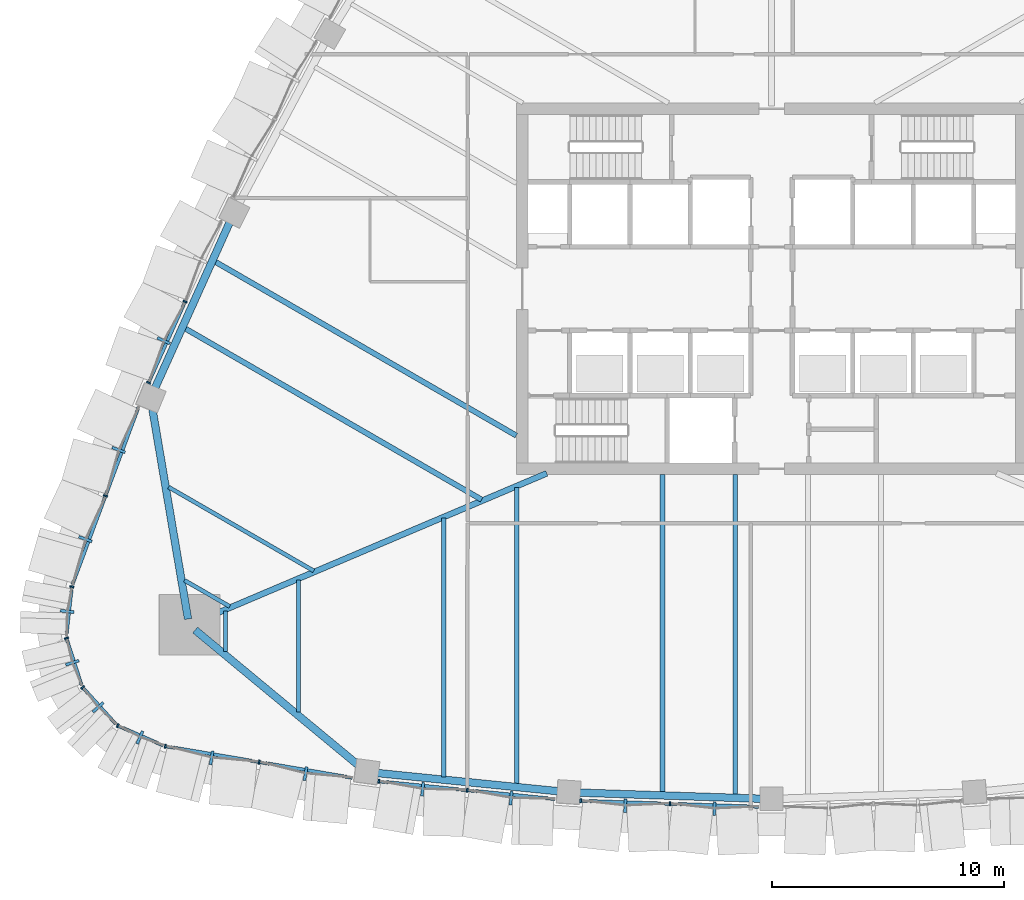
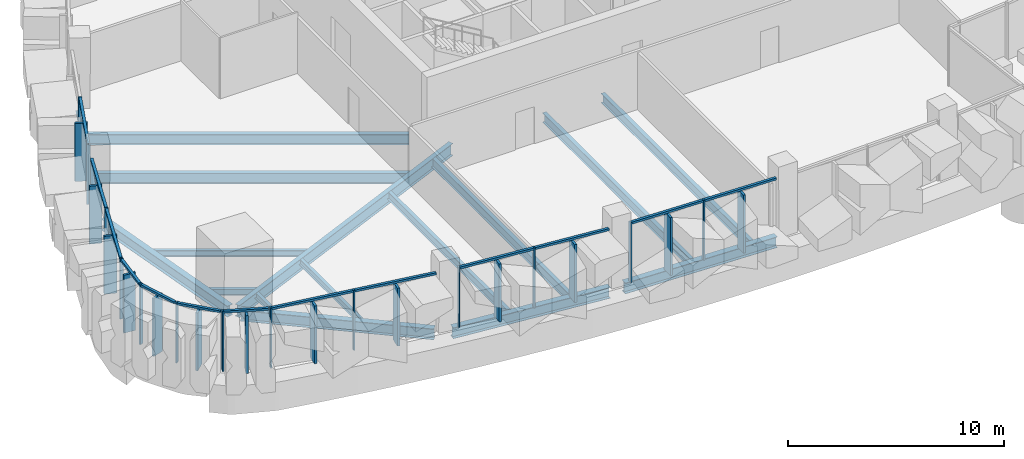
# One storey, part 2 of 20: 39 members, 16 beams, 9 elements without a shape of their own.
"""IFC4 building model written with IfcOpenShell, lengths in metres."""

from ifc_helpers import new_model, si_unit, direction, frame, origin, origin_2d, place, context, subcontext, project, spatial, rectangle, i_section, extrude, material, layer, layer_set, material_profile, profile_set, type_object, element, aggregate, save


model = new_model("IFC4")

# Units and contexts
model_context = context("Model", 3, precision=1e-05, world=origin(), true_north=direction((0.0, 1.0)))
body_context = subcontext(model_context, "Body", "Model", "MODEL_VIEW")
ifc_project = project(units=[si_unit("LENGTHUNIT", "METRE"), si_unit("AREAUNIT", "SQUARE_METRE"), si_unit("VOLUMEUNIT", "CUBIC_METRE"), si_unit("PLANEANGLEUNIT", "RADIAN"), si_unit("MASSUNIT", "GRAM", prefix="KILO")], contexts=[model_context])

# Site, building, storey
site_placement = place(None, origin())
site = spatial("IfcSite", under=ifc_project, at=site_placement, CompositionType="ELEMENT")
building_placement = place(site_placement, origin())
building = spatial("IfcBuilding", under=site, at=building_placement, Name="Sierra Prisma Convention Tower", CompositionType="ELEMENT")
storey_placement = place(building_placement, frame((0.0, 0.0, 125.800048828125)))
storey = spatial("IfcBuildingStorey", under=building, at=storey_placement, Name="L26", CompositionType="ELEMENT", Elevation=125.800048828125)

# Curtain wall, member
ifc_material_1 = material(Name="Aluminium and glass curtain wall", Category="aluminium")
ifc_layer = layer(ifc_material_1, 0.179931640625)
ifc_layer_set = layer_set([ifc_layer], Name="CW-2 Faceted crystal curtain wall")
curtain_wall_type = type_object("IfcCurtainWallType", Name="CW-2 Faceted crystal curtain wall", PredefinedType="NOTDEFINED", material=ifc_layer_set)
curtain_wall_1_placement = place(storey_placement, origin())
curtain_wall_1 = element("IfcCurtainWall", 1, at=curtain_wall_1_placement, inside=storey, type_object=curtain_wall_type, Name="CW-2 NW5 L26", PredefinedType="NOTDEFINED")
ifc_material_2 = material(Name="Aluminium 6063-T6 bronze anodised", Category="aluminium")
ifc_material_profile_1 = material_profile(ifc_material_2, rectangle(XDim=0.1201171875, YDim=0.60009765625, at=origin_2d()), Name="ALU RIDGE BLADE 120x600")
ifc_profile_set_1 = profile_set([ifc_material_profile_1], Name="Aluminium 6063-T6 bronze anodised")
member_type_1 = type_object("IfcMemberType", Name="CW hip bronze", PredefinedType="MULLION", material=ifc_profile_set_1)
member_1_placement = place(storey_placement, frame((-26.189697265625, -2.239990234375, 0.0), z_axis=(0.0, 0.0, 1.0), x_axis=(-0.410783329989, -0.911732995895, 0.0)))
member_1 = element("IfcMember", 2, at=member_1_placement, type_object=member_type_1, Name="CW-2 ridge NW5.2", PredefinedType="MULLION", context=body_context, shape_type="SweptSolid", body=[
    extrude(rectangle(XDim=0.1201171875, YDim=0.60009765625, at=origin_2d()), origin(), (0.0, 0.0, 1.0), 3.280029296875),
])

# Curtain wall, members
curtain_wall_2_placement = place(storey_placement, origin())
curtain_wall_2 = element("IfcCurtainWall", 3, at=curtain_wall_2_placement, inside=storey, type_object=curtain_wall_type, Name="CW-2 NW6 L26", PredefinedType="NOTDEFINED")
member_2_placement = place(storey_placement, frame((-28.130859375, -6.944091796875, 0.0), z_axis=(0.0, 0.0, 1.0), x_axis=(-0.34895513435, -0.937139431574, 0.0)))
member_2 = element("IfcMember", 4, at=member_2_placement, type_object=member_type_1, Name="CW-2 ridge NW6.1", PredefinedType="MULLION", context=body_context, shape_type="SweptSolid", body=[
    extrude(rectangle(XDim=0.1201171875, YDim=0.60009765625, at=origin_2d()), origin(), (0.0, 0.0, 1.0), 3.280029296875),
])
member_3_placement = place(storey_placement, frame((-29.562744140625, -10.7890625, 0.0), z_axis=(0.0, 0.0, 1.0), x_axis=(-0.34895513435, -0.937139431574, 0.0)))
member_3 = element("IfcMember", 5, at=member_3_placement, type_object=member_type_1, Name="CW-2 ridge NW6.2", PredefinedType="MULLION", context=body_context, shape_type="SweptSolid", body=[
    extrude(rectangle(XDim=0.1201171875, YDim=0.60009765625, at=origin_2d()), origin(), (0.0, 0.0, 1.0), 3.280029296875),
])

# Curtain wall, member
curtain_wall_3_placement = place(storey_placement, origin())
curtain_wall_3 = element("IfcCurtainWall", 6, at=curtain_wall_3_placement, inside=storey, type_object=curtain_wall_type, Name="CW-2 SW1 L26", PredefinedType="NOTDEFINED")
member_4_placement = place(storey_placement, frame((-30.34814453125, -13.901611328125, 0.0), z_axis=(0.0, 0.0, 1.0), x_axis=(-0.111140729668, -0.993804678098, 0.0)))
member_4 = element("IfcMember", 7, at=member_4_placement, type_object=member_type_1, Name="CW-2 ridge SW1.1", PredefinedType="MULLION", context=body_context, shape_type="SweptSolid", body=[
    extrude(rectangle(XDim=0.1201171875, YDim=0.60009765625, at=origin_2d()), origin(), (0.0, 0.0, 1.0), 3.280029296875),
])

curtain_wall_4_placement = place(storey_placement, origin())
curtain_wall_4 = element("IfcCurtainWall", 8, at=curtain_wall_4_placement, inside=storey, type_object=curtain_wall_type, Name="CW-2 SW2 L26", PredefinedType="NOTDEFINED")
member_5_placement = place(storey_placement, frame((-30.1259765625, -16.111083984375, 0.0), z_axis=(0.0, 0.0, 1.0), x_axis=(0.306907724602, -0.951739275526, 0.0)))
member_5 = element("IfcMember", 9, at=member_5_placement, type_object=member_type_1, Name="CW-2 ridge SW2.1", PredefinedType="MULLION", context=body_context, shape_type="SweptSolid", body=[
    extrude(rectangle(XDim=0.1201171875, YDim=0.60009765625, at=origin_2d()), origin(), (0.0, 0.0, 1.0), 3.280029296875),
])

curtain_wall_5_placement = place(storey_placement, origin())
curtain_wall_5 = element("IfcCurtainWall", 10, at=curtain_wall_5_placement, inside=storey, type_object=curtain_wall_type, Name="CW-2 SW3 L26", PredefinedType="NOTDEFINED")
member_6_placement = place(storey_placement, frame((-29.015625, -18.0341796875, 0.0), z_axis=(0.0, 0.0, 1.0), x_axis=(0.670776528084, -0.741659523886, 0.0)))
member_6 = element("IfcMember", 11, at=member_6_placement, type_object=member_type_1, Name="CW-2 ridge SW3.1", PredefinedType="MULLION", context=body_context, shape_type="SweptSolid", body=[
    extrude(rectangle(XDim=0.1201171875, YDim=0.60009765625, at=origin_2d()), origin(), (0.0, 0.0, 1.0), 3.280029296875),
])

curtain_wall_6_placement = place(storey_placement, origin())
curtain_wall_6 = element("IfcCurtainWall", 12, at=curtain_wall_6_placement, inside=storey, type_object=curtain_wall_type, Name="CW-2 SW4 L26", PredefinedType="NOTDEFINED")
member_7_placement = place(storey_placement, frame((-27.21337890625, -19.33154296875, 0.0), z_axis=(0.0, 0.0, 1.0), x_axis=(0.916230462466, -0.400651643762, 0.0)))
member_7 = element("IfcMember", 13, at=member_7_placement, type_object=member_type_1, Name="CW-2 ridge SW4.1", PredefinedType="MULLION", context=body_context, shape_type="SweptSolid", body=[
    extrude(rectangle(XDim=0.1201171875, YDim=0.60009765625, at=origin_2d()), origin(), (0.0, 0.0, 1.0), 3.280029296875),
])

# Curtain wall, members
curtain_wall_7_placement = place(storey_placement, origin())
curtain_wall_7 = element("IfcCurtainWall", 14, at=curtain_wall_7_placement, inside=storey, type_object=curtain_wall_type, Name="CW-2 S1 L26", PredefinedType="NOTDEFINED")
member_8_placement = place(storey_placement, frame((-24.125, -20.20751953125, 0.0), z_axis=(0.0, 0.0, 1.0), x_axis=(0.986064121806, -0.166365704659, 0.0)))
member_8 = element("IfcMember", 15, at=member_8_placement, type_object=member_type_1, Name="CW-2 ridge S1.1", PredefinedType="MULLION", context=body_context, shape_type="SweptSolid", body=[
    extrude(rectangle(XDim=0.1201171875, YDim=0.60009765625, at=origin_2d()), origin(), (0.0, 0.0, 1.0), 3.280029296875),
])
member_9_placement = place(storey_placement, frame((-20.079345703125, -20.889892578125, 0.0), z_axis=(0.0, 0.0, 1.0), x_axis=(0.986064121806, -0.166365704659, 0.0)))
member_9 = element("IfcMember", 16, at=member_9_placement, type_object=member_type_1, Name="CW-2 ridge S1.2", PredefinedType="MULLION", context=body_context, shape_type="SweptSolid", body=[
    extrude(rectangle(XDim=0.1201171875, YDim=0.60009765625, at=origin_2d()), origin(), (0.0, 0.0, 1.0), 3.280029296875),
])

curtain_wall_8_placement = place(storey_placement, origin())
curtain_wall_8 = element("IfcCurtainWall", 17, at=curtain_wall_8_placement, inside=storey, type_object=curtain_wall_type, Name="CW-2 S2 L26", PredefinedType="NOTDEFINED")
member_10_placement = place(storey_placement, frame((-15.03466796875, -21.560791015625, 0.0), z_axis=(0.0, 0.0, 1.0), x_axis=(0.994975600908, -0.100117698725, 0.0)))
member_10 = element("IfcMember", 18, at=member_10_placement, type_object=member_type_1, Name="CW-2 ridge S2.1", PredefinedType="MULLION", context=body_context, shape_type="SweptSolid", body=[
    extrude(rectangle(XDim=0.1201171875, YDim=0.60009765625, at=origin_2d()), origin(), (0.0, 0.0, 1.0), 3.280029296875),
])
member_11_placement = place(storey_placement, frame((-11.2236328125, -21.9443359375, 0.0), z_axis=(0.0, 0.0, 1.0), x_axis=(0.994975600908, -0.100117698725, 0.0)))
member_11 = element("IfcMember", 19, at=member_11_placement, type_object=member_type_1, Name="CW-2 ridge S2.2", PredefinedType="MULLION", context=body_context, shape_type="SweptSolid", body=[
    extrude(rectangle(XDim=0.1201171875, YDim=0.60009765625, at=origin_2d()), origin(), (0.0, 0.0, 1.0), 3.280029296875),
])

curtain_wall_9_placement = place(storey_placement, origin())
curtain_wall_9 = element("IfcCurtainWall", 20, at=curtain_wall_9_placement, inside=storey, type_object=curtain_wall_type, Name="CW-2 S3 L26", PredefinedType="NOTDEFINED")
member_12_placement = place(storey_placement, frame((-6.30615234375, -22.2734375, 0.0), z_axis=(0.0, 0.0, 1.0), x_axis=(0.999441317343, -0.033422345631, 0.0)))
member_12 = element("IfcMember", 21, at=member_12_placement, type_object=member_type_1, Name="CW-2 ridge S3.1", PredefinedType="MULLION", context=body_context, shape_type="SweptSolid", body=[
    extrude(rectangle(XDim=0.1201171875, YDim=0.60009765625, at=origin_2d()), origin(), (0.0, 0.0, 1.0), 3.280029296875),
])
member_13_placement = place(storey_placement, frame((-2.4619140625, -22.402099609375, 0.0), z_axis=(0.0, 0.0, 1.0), x_axis=(0.999441317343, -0.033422345631, 0.0)))
member_13 = element("IfcMember", 22, at=member_13_placement, type_object=member_type_1, Name="CW-2 ridge S3.2", PredefinedType="MULLION", context=body_context, shape_type="SweptSolid", body=[
    extrude(rectangle(XDim=0.1201171875, YDim=0.60009765625, at=origin_2d()), origin(), (0.0, 0.0, 1.0), 3.280029296875),
])

# Member
ifc_material_3 = material(Name="Aluminium 6063-T6 bronze anodised", Category="aluminium")
ifc_material_profile_2 = material_profile(ifc_material_3, rectangle(XDim=0.179931640625, YDim=0.070068359375, at=origin_2d()), Name="ALU MULLION 70x180")
ifc_profile_set_2 = profile_set([ifc_material_profile_2], Name="Aluminium 6063-T6 bronze anodised")
member_type_2 = type_object("IfcMemberType", Name="CW mullion bronze", PredefinedType="MULLION", material=ifc_profile_set_2)
member_14_placement = place(storey_placement, frame((-25.267822265625, -0.5546875, 0.0), z_axis=(0.0, 0.0, 1.0), x_axis=(0.911732995895, -0.410783329989, 0.0)))
member_14 = element("IfcMember", 23, at=member_14_placement, type_object=member_type_2, Name="CW-1 mullion NW5.2", PredefinedType="MULLION", context=body_context, shape_type="SweptSolid", body=[
    extrude(rectangle(XDim=0.179931640625, YDim=0.070068359375, at=origin_2d()), origin(), (0.0, 0.0, 1.0), 3.39990234375),
])

member_15_placement = place(storey_placement, frame((-26.84130859375, -4.046875, 0.0), z_axis=(0.0, 0.0, 1.0), x_axis=(0.911732995895, -0.410783329989, 0.0)))
member_15 = element("IfcMember", 24, at=member_15_placement, type_object=member_type_2, Name="CW-1 mullion NW5.3", PredefinedType="MULLION", context=body_context, shape_type="SweptSolid", body=[
    extrude(rectangle(XDim=0.179931640625, YDim=0.070068359375, at=origin_2d()), origin(), (0.0, 0.0, 1.0), 3.39990234375),
])

member_16_placement = place(storey_placement, frame((-28.697998046875, -8.922119140625, 0.0), z_axis=(0.0, 0.0, 1.0), x_axis=(0.937139431574, -0.34895513435, 0.0)))
member_16 = element("IfcMember", 25, at=member_16_placement, type_object=member_type_2, Name="CW-1 mullion NW6.2", PredefinedType="MULLION", context=body_context, shape_type="SweptSolid", body=[
    extrude(rectangle(XDim=0.179931640625, YDim=0.070068359375, at=origin_2d()), origin(), (0.0, 0.0, 1.0), 3.39990234375),
])

member_17_placement = place(storey_placement, frame((-30.14599609375, -12.834716796875, 0.0), z_axis=(0.0, 0.0, 1.0), x_axis=(0.993804678098, -0.111140729668, 0.0)))
member_17 = element("IfcMember", 26, at=member_17_placement, type_object=member_type_2, Name="CW-1 mullion SW1.1", PredefinedType="MULLION", context=body_context, shape_type="SweptSolid", body=[
    extrude(rectangle(XDim=0.179931640625, YDim=0.070068359375, at=origin_2d()), origin(), (0.0, 0.0, 1.0), 3.39990234375),
])

member_18_placement = place(storey_placement, frame((-30.379638671875, -15.05517578125, 0.0), z_axis=(0.0, 0.0, 1.0), x_axis=(0.951739275526, 0.306907724602, 0.0)))
member_18 = element("IfcMember", 27, at=member_18_placement, type_object=member_type_2, Name="CW-1 mullion SW2.1", PredefinedType="MULLION", context=body_context, shape_type="SweptSolid", body=[
    extrude(rectangle(XDim=0.179931640625, YDim=0.070068359375, at=origin_2d()), origin(), (0.0, 0.0, 1.0), 3.39990234375),
])

member_19_placement = place(storey_placement, frame((-29.680908203125, -17.17578125, 0.0), z_axis=(0.0, 0.0, 1.0), x_axis=(0.741659523886, 0.670776528084, 0.0)))
member_19 = element("IfcMember", 28, at=member_19_placement, type_object=member_type_2, Name="CW-1 mullion SW3.1", PredefinedType="MULLION", context=body_context, shape_type="SweptSolid", body=[
    extrude(rectangle(XDim=0.179931640625, YDim=0.070068359375, at=origin_2d()), origin(), (0.0, 0.0, 1.0), 3.39990234375),
])

member_20_placement = place(storey_placement, frame((-28.17236328125, -18.822021484375, 0.0), z_axis=(0.0, 0.0, 1.0), x_axis=(0.400651643762, 0.916230462466, 0.0)))
member_20 = element("IfcMember", 29, at=member_20_placement, type_object=member_type_2, Name="CW-1 mullion SW4.1", PredefinedType="MULLION", context=body_context, shape_type="SweptSolid", body=[
    extrude(rectangle(XDim=0.179931640625, YDim=0.070068359375, at=origin_2d()), origin(), (0.0, 0.0, 1.0), 3.39990234375),
])

member_21_placement = place(storey_placement, frame((-26.12158203125, -19.709716796875, 0.0), z_axis=(0.0, 0.0, 1.0), x_axis=(0.166365704659, 0.986064121806, 0.0)))
member_21 = element("IfcMember", 30, at=member_21_placement, type_object=member_type_2, Name="CW-1 mullion S1.1", PredefinedType="MULLION", context=body_context, shape_type="SweptSolid", body=[
    extrude(rectangle(XDim=0.179931640625, YDim=0.070068359375, at=origin_2d()), origin(), (0.0, 0.0, 1.0), 3.39990234375),
])

member_22_placement = place(storey_placement, frame((-22.07568359375, -20.392333984375, 0.0), z_axis=(0.0, 0.0, 1.0), x_axis=(0.166365704659, 0.986064121806, 0.0)))
member_22 = element("IfcMember", 31, at=member_22_placement, type_object=member_type_2, Name="CW-1 mullion S1.2", PredefinedType="MULLION", context=body_context, shape_type="SweptSolid", body=[
    extrude(rectangle(XDim=0.179931640625, YDim=0.070068359375, at=origin_2d()), origin(), (0.0, 0.0, 1.0), 3.39990234375),
])

member_23_placement = place(storey_placement, frame((-16.925537109375, -21.221923828125, 0.0), z_axis=(0.0, 0.0, 1.0), x_axis=(0.100117698725, 0.994975600908, 0.0)))
member_23 = element("IfcMember", 32, at=member_23_placement, type_object=member_type_2, Name="CW-1 mullion S2.1", PredefinedType="MULLION", context=body_context, shape_type="SweptSolid", body=[
    extrude(rectangle(XDim=0.179931640625, YDim=0.070068359375, at=origin_2d()), origin(), (0.0, 0.0, 1.0), 3.39990234375),
])

member_24_placement = place(storey_placement, frame((-13.1142578125, -21.60546875, 0.0), z_axis=(0.0, 0.0, 1.0), x_axis=(0.100117698725, 0.994975600908, 0.0)))
member_24 = element("IfcMember", 33, at=member_24_placement, type_object=member_type_2, Name="CW-1 mullion S2.2", PredefinedType="MULLION", context=body_context, shape_type="SweptSolid", body=[
    extrude(rectangle(XDim=0.179931640625, YDim=0.070068359375, at=origin_2d()), origin(), (0.0, 0.0, 1.0), 3.39990234375),
])

member_25_placement = place(storey_placement, frame((-8.223388671875, -22.060791015625, 0.0), z_axis=(0.0, 0.0, 1.0), x_axis=(0.033422345631, 0.999441317343, 0.0)))
member_25 = element("IfcMember", 34, at=member_25_placement, type_object=member_type_2, Name="CW-1 mullion S3.1", PredefinedType="MULLION", context=body_context, shape_type="SweptSolid", body=[
    extrude(rectangle(XDim=0.179931640625, YDim=0.070068359375, at=origin_2d()), origin(), (0.0, 0.0, 1.0), 3.39990234375),
])

member_26_placement = place(storey_placement, frame((-4.379150390625, -22.189208984375, 0.0), z_axis=(0.0, 0.0, 1.0), x_axis=(0.033422345631, 0.999441317343, 0.0)))
member_26 = element("IfcMember", 35, at=member_26_placement, type_object=member_type_2, Name="CW-1 mullion S3.2", PredefinedType="MULLION", context=body_context, shape_type="SweptSolid", body=[
    extrude(rectangle(XDim=0.179931640625, YDim=0.070068359375, at=origin_2d()), origin(), (0.0, 0.0, 1.0), 3.39990234375),
])

ifc_material_4 = material(Name="Aluminium 6063-T6 bronze anodised", Category="aluminium")
ifc_material_profile_3 = material_profile(ifc_material_4, rectangle(XDim=0.139892578125, YDim=0.1201171875, at=origin_2d()), Name="ALU TRANSOM 120x140")
ifc_profile_set_3 = profile_set([ifc_material_profile_3], Name="Aluminium 6063-T6 bronze anodised")
member_type_3 = type_object("IfcMemberType", Name="CW transom bronze", PredefinedType="USERDEFINED", material=ifc_profile_set_3)
member_27_placement = place(storey_placement, frame((-25.2822265625, -0.586669921875, 3.33984375), z_axis=(-0.410777668798, -0.911735546536, 0.0), x_axis=(0.911735546536, -0.410777668798, 0.0)))
member_27 = element("IfcMember", 36, at=member_27_placement, type_object=member_type_3, Name="CW-1 transom NW5.2", ObjectType="TRANSOM", PredefinedType="USERDEFINED", context=body_context, shape_type="SweptSolid", body=[
    extrude(rectangle(XDim=0.139892578125, YDim=0.1201171875, at=origin_2d()), origin(), (0.0, 0.0, 1.0), 3.76025390625),
])

aggregate(curtain_wall_1, [member_14, member_15, member_27, member_1])

member_28_placement = place(storey_placement, frame((-27.278564453125, -5.10986328125, 3.33984375), z_axis=(-0.348946408953, -0.937142680534, 0.0), x_axis=(0.937142680534, -0.348946408953, 0.0)))
member_28 = element("IfcMember", 37, at=member_28_placement, type_object=member_type_3, Name="CW-1 transom NW6.1", ObjectType="TRANSOM", PredefinedType="USERDEFINED", context=body_context, shape_type="SweptSolid", body=[
    extrude(rectangle(XDim=0.139892578125, YDim=0.1201171875, at=origin_2d()), origin(), (0.0, 0.0, 1.0), 4.03271484375),
])

member_29_placement = place(storey_placement, frame((-28.710205078125, -8.954833984375, 3.33984375), z_axis=(-0.348999574763, -0.937122882452, 0.0), x_axis=(0.937122882452, -0.348999574763, 0.0)))
member_29 = element("IfcMember", 38, at=member_29_placement, type_object=member_type_3, Name="CW-1 transom NW6.2", ObjectType="TRANSOM", PredefinedType="USERDEFINED", context=body_context, shape_type="SweptSolid", body=[
    extrude(rectangle(XDim=0.139892578125, YDim=0.1201171875, at=origin_2d()), origin(), (0.0, 0.0, 1.0), 4.032958984375),
])

aggregate(curtain_wall_2, [member_16, member_28, member_2, member_29, member_3])

member_30_placement = place(storey_placement, frame((-30.149658203125, -12.869384765625, 3.33984375), z_axis=(-0.111249773277, -0.993792477304, 0.0), x_axis=(0.993792477304, -0.111249773277, 0.0)))
member_30 = element("IfcMember", 39, at=member_30_placement, type_object=member_type_3, Name="CW-1 transom SW1.1", ObjectType="TRANSOM", PredefinedType="USERDEFINED", context=body_context, shape_type="SweptSolid", body=[
    extrude(rectangle(XDim=0.139892578125, YDim=0.1201171875, at=origin_2d()), origin(), (0.0, 0.0, 1.0), 2.095703125),
])

aggregate(curtain_wall_3, [member_17, member_30, member_4])

member_31_placement = place(storey_placement, frame((-30.368896484375, -15.08837890625, 3.33984375), z_axis=(0.306812187689, -0.951770078058, 0.0), x_axis=(0.951770078058, 0.306812187689, 0.0)))
member_31 = element("IfcMember", 40, at=member_31_placement, type_object=member_type_3, Name="CW-1 transom SW2.1", ObjectType="TRANSOM", PredefinedType="USERDEFINED", context=body_context, shape_type="SweptSolid", body=[
    extrude(rectangle(XDim=0.139892578125, YDim=0.1201171875, at=origin_2d()), origin(), (0.0, 0.0, 1.0), 2.095947265625),
])

aggregate(curtain_wall_4, [member_18, member_31, member_5])

member_32_placement = place(storey_placement, frame((-29.6572265625, -17.20166015625, 3.33984375), z_axis=(0.670745544739, -0.741687544868, 0.0), x_axis=(0.741687544868, 0.670745544739, 0.0)))
member_32 = element("IfcMember", 41, at=member_32_placement, type_object=member_type_3, Name="CW-1 transom SW3.1", ObjectType="TRANSOM", PredefinedType="USERDEFINED", context=body_context, shape_type="SweptSolid", body=[
    extrude(rectangle(XDim=0.139892578125, YDim=0.1201171875, at=origin_2d()), origin(), (0.0, 0.0, 1.0), 2.095703125),
])

aggregate(curtain_wall_5, [member_19, member_32, member_6])

member_33_placement = place(storey_placement, frame((-28.140380859375, -18.836181640625, 3.33984375), z_axis=(0.916240199278, -0.400629376391, 0.0), x_axis=(0.400629376391, 0.916240199278, 0.0)))
member_33 = element("IfcMember", 42, at=member_33_placement, type_object=member_type_3, Name="CW-1 transom SW4.1", ObjectType="TRANSOM", PredefinedType="USERDEFINED", context=body_context, shape_type="SweptSolid", body=[
    extrude(rectangle(XDim=0.139892578125, YDim=0.1201171875, at=origin_2d()), origin(), (0.0, 0.0, 1.0), 2.095703125),
])

aggregate(curtain_wall_6, [member_20, member_33, member_7])

member_34_placement = place(storey_placement, frame((-26.0869140625, -19.715576171875, 3.33984375), z_axis=(0.986064730035, -0.166362099591, 0.0), x_axis=(0.166362099591, 0.986064730035, 0.0)))
member_34 = element("IfcMember", 43, at=member_34_placement, type_object=member_type_3, Name="CW-1 transom S1.1", ObjectType="TRANSOM", PredefinedType="USERDEFINED", context=body_context, shape_type="SweptSolid", body=[
    extrude(rectangle(XDim=0.139892578125, YDim=0.1201171875, at=origin_2d()), origin(), (0.0, 0.0, 1.0), 4.03271484375),
])

member_35_placement = place(storey_placement, frame((-22.041259765625, -20.39794921875, 3.33984375), z_axis=(0.986054797276, -0.166420962531, 0.0), x_axis=(0.166420962531, 0.986054797276, 0.0)))
member_35 = element("IfcMember", 44, at=member_35_placement, type_object=member_type_3, Name="CW-1 transom S1.2", ObjectType="TRANSOM", PredefinedType="USERDEFINED", context=body_context, shape_type="SweptSolid", body=[
    extrude(rectangle(XDim=0.139892578125, YDim=0.1201171875, at=origin_2d()), origin(), (0.0, 0.0, 1.0), 4.03271484375),
])

aggregate(curtain_wall_7, [member_21, member_22, member_34, member_8, member_35, member_9])

member_36_placement = place(storey_placement, frame((-16.890625, -21.225341796875, 3.33984375), z_axis=(0.994975934726, -0.100114381165, 0.0), x_axis=(0.100114381165, 0.994975934726, 0.0)))
member_36 = element("IfcMember", 45, at=member_36_placement, type_object=member_type_3, Name="CW-1 transom S2.1", ObjectType="TRANSOM", PredefinedType="USERDEFINED", context=body_context, shape_type="SweptSolid", body=[
    extrude(rectangle(XDim=0.139892578125, YDim=0.1201171875, at=origin_2d()), origin(), (0.0, 0.0, 1.0), 3.76025390625),
])

member_37_placement = place(storey_placement, frame((-13.07958984375, -21.60888671875, 3.33984375), z_axis=(0.994976585399, -0.100107914308, 0.0), x_axis=(0.100107914308, 0.994976585399, 0.0)))
member_37 = element("IfcMember", 46, at=member_37_placement, type_object=member_type_3, Name="CW-1 transom S2.2", ObjectType="TRANSOM", PredefinedType="USERDEFINED", context=body_context, shape_type="SweptSolid", body=[
    extrude(rectangle(XDim=0.139892578125, YDim=0.1201171875, at=origin_2d()), origin(), (0.0, 0.0, 1.0), 3.760498046875),
])

aggregate(curtain_wall_8, [member_23, member_24, member_36, member_10, member_37, member_11])

member_38_placement = place(storey_placement, frame((-8.1884765625, -22.061767578125, 3.33984375), z_axis=(0.999441313675, -0.033422455315, 0.0), x_axis=(0.033422455315, 0.999441313675, 0.0)))
member_38 = element("IfcMember", 47, at=member_38_placement, type_object=member_type_3, Name="CW-1 transom S3.1", ObjectType="TRANSOM", PredefinedType="USERDEFINED", context=body_context, shape_type="SweptSolid", body=[
    extrude(rectangle(XDim=0.139892578125, YDim=0.1201171875, at=origin_2d()), origin(), (0.0, 0.0, 1.0), 3.776611328125),
])

member_39_placement = place(storey_placement, frame((-4.343994140625, -22.1904296875, 3.33984375), z_axis=(0.999441313675, -0.033422455315, 0.0), x_axis=(0.033422455315, 0.999441313675, 0.0)))
member_39 = element("IfcMember", 48, at=member_39_placement, type_object=member_type_3, Name="CW-1 transom S3.2", ObjectType="TRANSOM", PredefinedType="USERDEFINED", context=body_context, shape_type="SweptSolid", body=[
    extrude(rectangle(XDim=0.139892578125, YDim=0.1201171875, at=origin_2d()), origin(), (0.0, 0.0, 1.0), 3.776611328125),
])

aggregate(curtain_wall_9, [member_25, member_26, member_38, member_12, member_39, member_13])

# Beams
ifc_material_5 = material(Name="Steel ASTM A992 Gr 50", Category="steel")
ifc_material_profile_4 = material_profile(ifc_material_5, i_section(OverallWidth=0.172119140625, OverallDepth=0.35791015625, WebThickness=0.0078125, FlangeThickness=0.01318359375, at=origin_2d()), Name="W360x57")
ifc_profile_set_4 = profile_set([ifc_material_profile_4], Name="Steel ASTM A992 Gr 50")
beam_type_1 = type_object("IfcBeamType", Name="Floor joist W360x57", PredefinedType="JOIST", material=ifc_profile_set_4)
beam_1_placement = place(storey_placement, frame((-23.52734375, -15.627197265625, -0.3291015625), z_axis=(0.0, 1.0, 0.0), x_axis=(-1.0, 0.0, 0.0)))
element("IfcBeam", 49, at=beam_1_placement, inside=storey, type_object=beam_type_1, Name="Floor joist L26 S01", PredefinedType="JOIST", context=body_context, shape_type="SweptSolid", body=[
    extrude(i_section(OverallWidth=0.172119140625, OverallDepth=0.35791015625, WebThickness=0.0078125, FlangeThickness=0.01318359375, at=origin_2d()), origin(), (0.0, 0.0, 1.0), 1.748291015625),
])
beam_2_placement = place(storey_placement, frame((-20.390380859375, -18.225341796875, -0.3291015625), z_axis=(0.0, 1.0, 0.0), x_axis=(-1.0, 0.0, 0.0)))
element("IfcBeam", 50, at=beam_2_placement, inside=storey, type_object=beam_type_1, Name="Floor joist L26 S02", PredefinedType="JOIST", context=body_context, shape_type="SweptSolid", body=[
    extrude(i_section(OverallWidth=0.172119140625, OverallDepth=0.35791015625, WebThickness=0.0078125, FlangeThickness=0.01318359375, at=origin_2d()), origin(), (0.0, 0.0, 1.0), 5.67724609375),
])
beam_3_placement = place(storey_placement, frame((-25.978759765625, -8.5458984375, -0.3291015625), z_axis=(0.866032984638, -0.499986869347, 0.0), x_axis=(0.499986869347, 0.866032984638, 0.0)))
element("IfcBeam", 51, at=beam_3_placement, inside=storey, type_object=beam_type_1, Name="Floor joist L26 NW15", PredefinedType="JOIST", context=body_context, shape_type="SweptSolid", body=[
    extrude(i_section(OverallWidth=0.172119140625, OverallDepth=0.35791015625, WebThickness=0.0078125, FlangeThickness=0.01318359375, at=origin_2d()), origin(), (0.0, 0.0, 1.0), 7.219970703125),
])
beam_4_placement = place(storey_placement, frame((-25.297119140625, -12.561767578125, -0.3291015625), z_axis=(0.86603787505, -0.499978398512, 0.0), x_axis=(0.499978398512, 0.86603787505, 0.0)))
element("IfcBeam", 52, at=beam_4_placement, inside=storey, type_object=beam_type_1, Name="Floor joist L26 NW16", PredefinedType="JOIST", context=body_context, shape_type="SweptSolid", body=[
    extrude(i_section(OverallWidth=0.172119140625, OverallDepth=0.35791015625, WebThickness=0.0078125, FlangeThickness=0.01318359375, at=origin_2d()), origin(), (0.0, 0.0, 1.0), 2.2568359375),
])
ifc_material_6 = material(Name="Steel ASTM A992 Gr 50", Category="steel")
ifc_material_profile_5 = material_profile(ifc_material_6, i_section(OverallWidth=0.18994140625, OverallDepth=0.45703125, WebThickness=0.009033203125, FlangeThickness=0.014404296875, at=origin_2d()), Name="W460x74")
ifc_profile_set_5 = profile_set([ifc_material_profile_5], Name="Steel ASTM A992 Gr 50")
beam_type_2 = type_object("IfcBeamType", Name="Floor joist W460x74", PredefinedType="JOIST", material=ifc_profile_set_5)
beam_5_placement = place(storey_placement, frame((-14.116455078125, -21.03955078125, -0.378662109375), z_axis=(0.0, 1.0, 0.0), x_axis=(-1.0, 0.0, 0.0)))
element("IfcBeam", 53, at=beam_5_placement, inside=storey, type_object=beam_type_2, Name="Floor joist L26 S04", PredefinedType="JOIST", context=body_context, shape_type="SweptSolid", body=[
    extrude(i_section(OverallWidth=0.18994140625, OverallDepth=0.45703125, WebThickness=0.009033203125, FlangeThickness=0.014404296875, at=origin_2d()), origin(), (0.0, 0.0, 1.0), 11.153076171875),
])
ifc_material_7 = material(Name="Steel ASTM A992 Gr 50", Category="steel")
ifc_material_profile_6 = material_profile(ifc_material_7, i_section(OverallWidth=0.208984375, OverallDepth=0.532958984375, WebThickness=0.01025390625, FlangeThickness=0.015625, at=origin_2d()), Name="W530x92")
ifc_profile_set_6 = profile_set([ifc_material_profile_6], Name="Steel ASTM A992 Gr 50")
beam_type_3 = type_object("IfcBeamType", Name="Floor joist W530x92", PredefinedType="JOIST", material=ifc_profile_set_6)
beam_6_placement = place(storey_placement, frame((-10.9794921875, -21.355224609375, -0.41650390625), z_axis=(0.0, 1.0, 0.0), x_axis=(-1.0, 0.0, 0.0)))
element("IfcBeam", 54, at=beam_6_placement, inside=storey, type_object=beam_type_3, Name="Floor joist L26 S05", PredefinedType="JOIST", context=body_context, shape_type="SweptSolid", body=[
    extrude(i_section(OverallWidth=0.208984375, OverallDepth=0.532958984375, WebThickness=0.01025390625, FlangeThickness=0.015625, at=origin_2d()), origin(), (0.0, 0.0, 1.0), 12.7998046875),
])
beam_7_placement = place(storey_placement, frame((-4.70556640625, -21.7158203125, -0.41650390625), z_axis=(0.0, 1.0, 0.0), x_axis=(-1.0, 0.0, 0.0)))
element("IfcBeam", 55, at=beam_7_placement, inside=storey, type_object=beam_type_3, Name="Floor joist L26 S07", PredefinedType="JOIST", context=body_context, shape_type="SweptSolid", body=[
    extrude(i_section(OverallWidth=0.208984375, OverallDepth=0.532958984375, WebThickness=0.01025390625, FlangeThickness=0.015625, at=origin_2d()), origin(), (0.0, 0.0, 1.0), 13.7158203125),
])
beam_8_placement = place(storey_placement, frame((-1.568603515625, -21.820556640625, -0.41650390625), z_axis=(0.0, 1.0, 0.0), x_axis=(-1.0, 0.0, 0.0)))
element("IfcBeam", 56, at=beam_8_placement, inside=storey, type_object=beam_type_3, Name="Floor joist L26 S08", PredefinedType="JOIST", context=body_context, shape_type="SweptSolid", body=[
    extrude(i_section(OverallWidth=0.208984375, OverallDepth=0.532958984375, WebThickness=0.01025390625, FlangeThickness=0.015625, at=origin_2d()), origin(), (0.0, 0.0, 1.0), 13.820556640625),
])
ifc_material_8 = material(Name="Steel ASTM A992 Gr 50", Category="steel")
ifc_material_profile_7 = material_profile(ifc_material_8, i_section(OverallWidth=0.22802734375, OverallDepth=0.60302734375, WebThickness=0.010498046875, FlangeThickness=0.014892578125, at=origin_2d()), Name="W610x101")
ifc_profile_set_7 = profile_set([ifc_material_profile_7], Name="Steel ASTM A992 Gr 50")
beam_type_4 = type_object("IfcBeamType", Name="Floor joist W610x101", PredefinedType="JOIST", material=ifc_profile_set_7)
beam_9_placement = place(storey_placement, frame((-23.98388671875, 1.169189453125, -0.45166015625), z_axis=(0.866022879544, -0.500004372088, 0.0), x_axis=(0.500004372088, 0.866022879544, 0.0)))
element("IfcBeam", 57, at=beam_9_placement, inside=storey, type_object=beam_type_4, Name="Floor joist L26 NW12", PredefinedType="JOIST", context=body_context, shape_type="SweptSolid", body=[
    extrude(i_section(OverallWidth=0.22802734375, OverallDepth=0.60302734375, WebThickness=0.010498046875, FlangeThickness=0.014892578125, at=origin_2d()), origin(), (0.0, 0.0, 1.0), 14.992431640625),
])
beam_10_placement = place(storey_placement, frame((-25.279052734375, -1.705322265625, -0.45166015625), z_axis=(0.866021185894, -0.500007305529, 0.0), x_axis=(0.500007305529, 0.866021185894, 0.0)))
element("IfcBeam", 58, at=beam_10_placement, inside=storey, type_object=beam_type_4, Name="Floor joist L26 NW13", PredefinedType="JOIST", context=body_context, shape_type="SweptSolid", body=[
    extrude(i_section(OverallWidth=0.22802734375, OverallDepth=0.60302734375, WebThickness=0.010498046875, FlangeThickness=0.014892578125, at=origin_2d()), origin(), (0.0, 0.0, 1.0), 14.763916015625),
])
ifc_material_9 = material(Name="Steel ASTM A992 Gr 50", Category="steel")
ifc_material_profile_8 = material_profile(ifc_material_9, i_section(OverallWidth=0.25390625, OverallDepth=0.68408203125, WebThickness=0.012451171875, FlangeThickness=0.018798828125, at=origin_2d()), Name="W690x140")
ifc_profile_set_8 = profile_set([ifc_material_profile_8], Name="Steel ASTM A992 Gr 50")
beam_type_5 = type_object("IfcBeamType", Name="Radial girder W690x140", PredefinedType="BEAM", material=ifc_profile_set_8)
beam_11_placement = place(storey_placement, frame((-24.835693359375, -14.378662109375, -0.491943359375), z_axis=(0.920584853538, 0.390542606429, 0.0), x_axis=(-0.390542606429, 0.920584853538, 0.0)))
element("IfcBeam", 59, at=beam_11_placement, inside=storey, type_object=beam_type_5, Name="Radial girder L26 SW", PredefinedType="BEAM", context=body_context, shape_type="SweptSolid", body=[
    extrude(i_section(OverallWidth=0.25390625, OverallDepth=0.68408203125, WebThickness=0.012451171875, FlangeThickness=0.018798828125, at=origin_2d()), origin(), (0.0, 0.0, 1.0), 16.452880859375),
])
ifc_material_10 = material(Name="Steel ASTM A992 Gr 50", Category="steel")
ifc_material_profile_9 = material_profile(ifc_material_10, i_section(OverallWidth=0.324951171875, OverallDepth=0.615966796875, WebThickness=0.013916015625, FlangeThickness=0.021484375, at=origin_2d()), Name="W610x174")
ifc_profile_set_9 = profile_set([ifc_material_profile_9], Name="Steel ASTM A992 Gr 50")
beam_type_6 = type_object("IfcBeamType", Name="Spandrel beam W610x174", PredefinedType="BEAM", material=ifc_profile_set_9)
beam_12_placement = place(storey_placement, frame((-24.835693359375, -14.704345703125, -0.4580078125), z_axis=(0.770126090398, -0.637891687427, 0.0), x_axis=(0.637891687427, 0.770126090398, 0.0)))
element("IfcBeam", 60, at=beam_12_placement, inside=storey, type_object=beam_type_6, Name="Spandrel L26-01", PredefinedType="BEAM", context=body_context, shape_type="SweptSolid", body=[
    extrude(i_section(OverallWidth=0.324951171875, OverallDepth=0.615966796875, WebThickness=0.013916015625, FlangeThickness=0.021484375, at=origin_2d()), origin(), (0.0, 0.0, 1.0), 9.11328125),
])
for number, where, z_axis, x_axis, name in (
    (61, (-17.07763671875, -20.85498046875, -0.4580078125), (0.994976513528, -0.100108628641, 0.0), (0.100108628641, 0.994976513528, 0.0), "Spandrel L26-02"),
    (62, (-8.367431640625, -21.705810546875, -0.4580078125), (0.999441375191, -0.033420615737, 0.0), (0.033420615737, 0.999441375191, 0.0), "Spandrel L26-03"),
    (63, (-23.31689453125, 2.92431640625, -0.4580078125), (-0.410764762698, -0.911741361202, 0.0), (0.911741361202, -0.410764762698, 0.0), "Spandrel L26-17"),
):
    element("IfcBeam", number, at=place(storey_placement, frame(where, z_axis=z_axis, x_axis=x_axis)), inside=storey, type_object=beam_type_6, Name=name, PredefinedType="BEAM", context=body_context, shape_type="SweptSolid", body=[
        extrude(i_section(OverallWidth=0.324951171875, OverallDepth=0.615966796875, WebThickness=0.013916015625, FlangeThickness=0.021484375, at=origin_2d()), origin(), (0.0, 0.0, 1.0), 7.99169921875),
    ])
beam_13_placement = place(storey_placement, frame((-26.67724609375, -5.171630859375, -0.4580078125), z_axis=(0.167341595472, -0.98589897577, 0.0), x_axis=(0.98589897577, 0.167341595472, 0.0)))
element("IfcBeam", 64, at=beam_13_placement, inside=storey, type_object=beam_type_6, Name="Spandrel L26-18", PredefinedType="BEAM", context=body_context, shape_type="SweptSolid", body=[
    extrude(i_section(OverallWidth=0.324951171875, OverallDepth=0.615966796875, WebThickness=0.013916015625, FlangeThickness=0.021484375, at=origin_2d()), origin(), (0.0, 0.0, 1.0), 9.18701171875),
])

save(model, "model.ifc")
